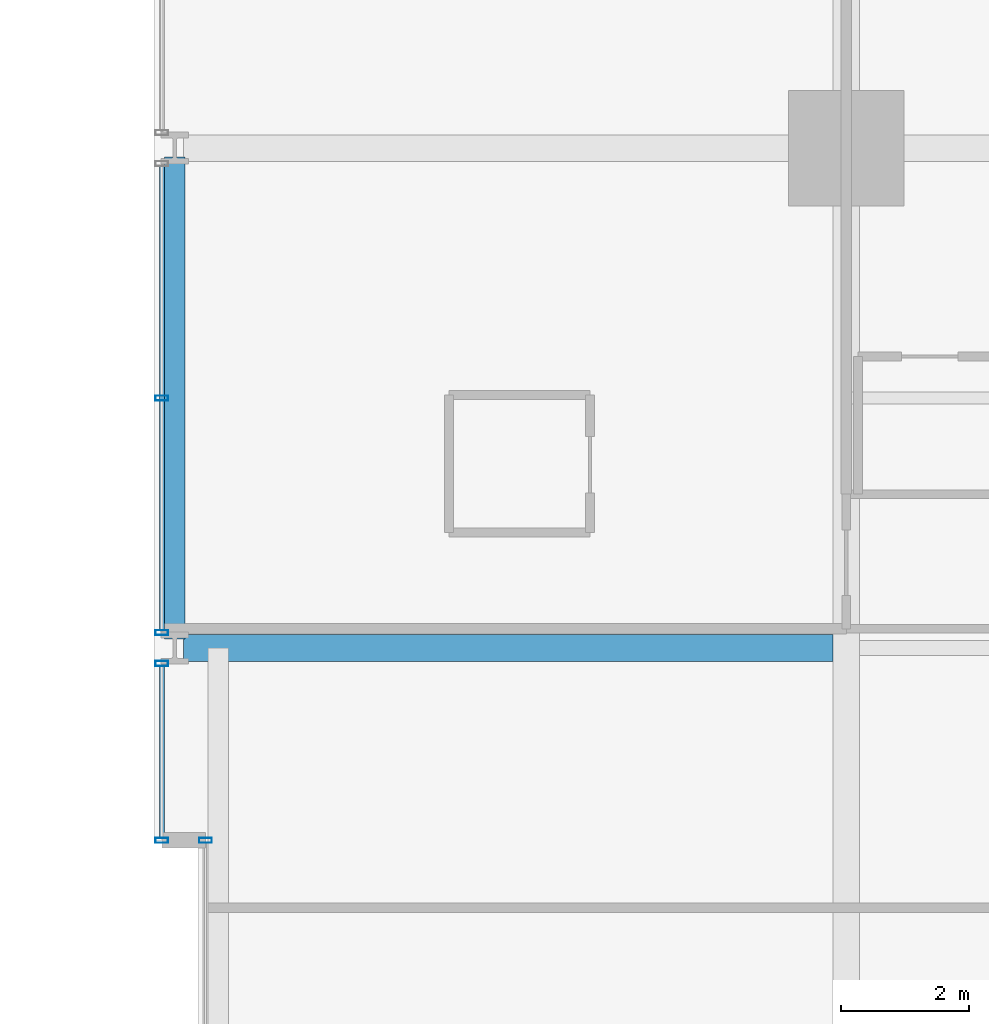
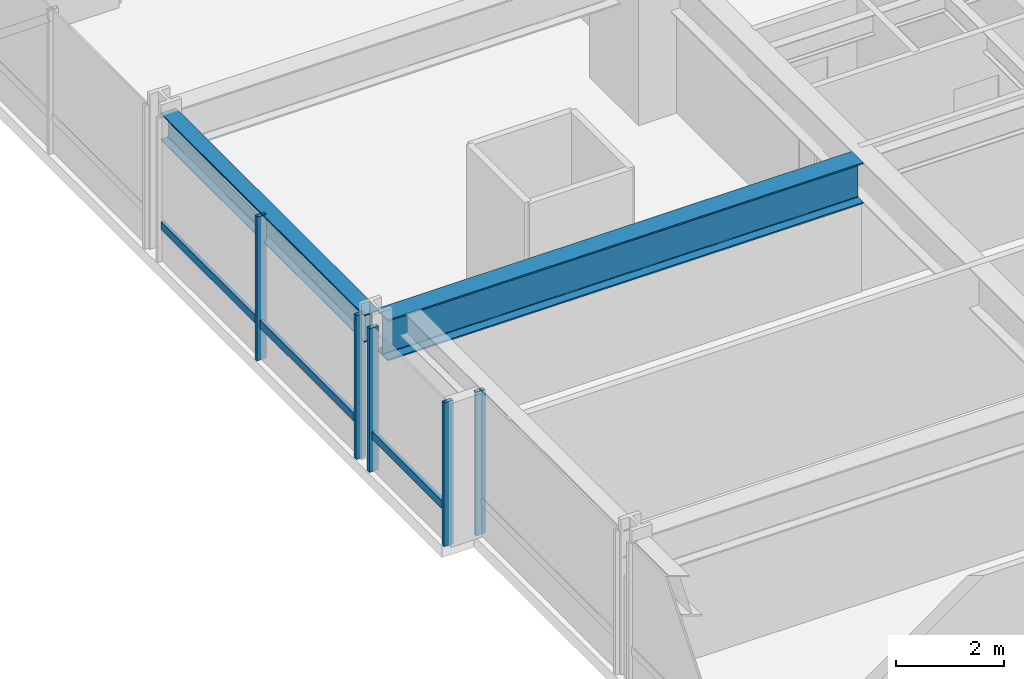
# One storey, part 17 of 42: 7 members, 2 beams, 3 elements without a shape of their own.
"""IFC4 building model written with IfcOpenShell, lengths in metres."""

from ifc_helpers import new_model, si_unit, direction, frame, origin, origin_2d, place, context, subcontext, project, spatial, hollow_rectangle, i_section, extrude, material, layer, layer_set, material_profile, profile_set, type_object, element, aggregate, save


model = new_model("IFC4")

# Units and contexts
model_context = context("Model", 3, precision=1e-05, world=origin(), true_north=direction((0.0, 1.0)))
body_context = subcontext(model_context, "Body", "Model", "MODEL_VIEW")
ifc_project = project(units=[si_unit("LENGTHUNIT", "METRE"), si_unit("AREAUNIT", "SQUARE_METRE"), si_unit("VOLUMEUNIT", "CUBIC_METRE"), si_unit("PLANEANGLEUNIT", "RADIAN"), si_unit("MASSUNIT", "GRAM", prefix="KILO")], contexts=[model_context])

# Site, building, storey
site_placement = place(None, origin())
site = spatial("IfcSite", under=ifc_project, at=site_placement, CompositionType="ELEMENT")
building_placement = place(site_placement, origin())
building = spatial("IfcBuilding", under=site, at=building_placement, Name="Drelvath Grand Hotel", CompositionType="ELEMENT")
storey_placement = place(building_placement, frame((0.0, 0.0, 33.199951171875)))
storey = spatial("IfcBuildingStorey", under=building, at=storey_placement, Name="L06", CompositionType="ELEMENT", Elevation=33.199951171875)

# Curtain wall, member
ifc_material_1 = material(Name="Warm Bronze Anodised Aluminium Frame", Category="aluminium")
ifc_layer = layer(ifc_material_1, 0.199951171875)
ifc_layer_set = layer_set([ifc_layer], Name="Warm Bronze Anodised Aluminium Frame")
curtain_wall_type = type_object("IfcCurtainWallType", Name="Stick Curtain Wall CW-02 Warm Bronze Low-Rise", PredefinedType="NOTDEFINED", material=ifc_layer_set)
curtain_wall_1_placement = place(storey_placement, origin())
curtain_wall_1 = element("IfcCurtainWall", 1, at=curtain_wall_1_placement, inside=storey, type_object=curtain_wall_type, Name="L06 CW-02 Curtain Wall CW02-L06-WN1", PredefinedType="NOTDEFINED")
ifc_material_profile_1 = material_profile(ifc_material_1, hollow_rectangle(XDim=0.074951171875, YDim=0.179931640625, WallThickness=0.0048828125, at=origin_2d()), Name="HSS180X75X5")
ifc_profile_set_1 = profile_set([ifc_material_profile_1], Name="Warm Bronze Anodised Aluminium Frame")
member_type_1 = type_object("IfcMemberType", Name="Curtain Wall Horizontal Transom CW-02 HSS180X75X5", PredefinedType="USERDEFINED", material=ifc_profile_set_1)
member_1_placement = place(storey_placement, frame((-26.8798828125, 32.43994140625, 0.81005859375), z_axis=(0.0, 1.0, 0.0), x_axis=(-1.0, 0.0, 0.0)))
member_1 = element("IfcMember", 2, at=member_1_placement, type_object=member_type_1, Name="CW02-L06-WN1 Sill Transom", ObjectType="TRANSOM", PredefinedType="USERDEFINED", context=body_context, shape_type="SweptSolid", body=[
    extrude(hollow_rectangle(XDim=0.074951171875, YDim=0.179931640625, WallThickness=0.0048828125, at=origin_2d()), origin(), (0.0, 0.0, 1.0), 2.67919921875),
])

curtain_wall_2_placement = place(storey_placement, origin())
curtain_wall_2 = element("IfcCurtainWall", 3, at=curtain_wall_2_placement, inside=storey, type_object=curtain_wall_type, Name="L06 CW-02 Curtain Wall CW02-L06-WN2", PredefinedType="NOTDEFINED")
member_2_placement = place(storey_placement, frame((-26.8798828125, 35.680908203125, 0.81005859375), z_axis=(0.0, 1.0, 0.0), x_axis=(-1.0, 0.0, 0.0)))
member_2 = element("IfcMember", 4, at=member_2_placement, type_object=member_type_1, Name="CW02-L06-WN2 Sill Transom", ObjectType="TRANSOM", PredefinedType="USERDEFINED", context=body_context, shape_type="SweptSolid", body=[
    extrude(hollow_rectangle(XDim=0.074951171875, YDim=0.179931640625, WallThickness=0.0048828125, at=origin_2d()), origin(), (0.0, 0.0, 1.0), 7.23828125),
])

curtain_wall_3_placement = place(storey_placement, origin())
curtain_wall_3 = element("IfcCurtainWall", 5, at=curtain_wall_3_placement, inside=storey, type_object=curtain_wall_type, Name="L06 CW-02 Curtain Wall CW02-L06-WM2", PredefinedType="NOTDEFINED")
ifc_material_profile_2 = material_profile(ifc_material_1, hollow_rectangle(XDim=0.080078125, YDim=0.199951171875, WallThickness=0.0048828125, at=origin_2d()), Name="HSS200X80X5")
ifc_profile_set_2 = profile_set([ifc_material_profile_2], Name="Warm Bronze Anodised Aluminium Frame")
member_type_2 = type_object("IfcMemberType", Name="Curtain Wall Vertical Mullion CW-02 HSS200X80X5", PredefinedType="MULLION", material=ifc_profile_set_2)
member_3_placement = place(storey_placement, frame((-26.199951171875, 32.39990234375, 0.0), z_axis=(0.0, 0.0, 1.0), x_axis=(0.0, 1.0, 0.0)))
member_3 = element("IfcMember", 6, at=member_3_placement, type_object=member_type_2, Name="CW02-L06-WM2 Mullion 2", PredefinedType="MULLION", context=body_context, shape_type="SweptSolid", body=[
    extrude(hollow_rectangle(XDim=0.080078125, YDim=0.199951171875, WallThickness=0.0048828125, at=origin_2d()), origin(), (0.0, 0.0, 1.0), 3.239990234375),
])
aggregate(curtain_wall_3, [member_3])

# Member
member_4_placement = place(storey_placement, frame((-26.8798828125, 32.39990234375, 0.0), z_axis=(0.0, 0.0, 1.0), x_axis=(0.0, 1.0, 0.0)))
member_4 = element("IfcMember", 7, at=member_4_placement, type_object=member_type_2, Name="CW02-L06-WN1 Mullion 1", PredefinedType="MULLION", context=body_context, shape_type="SweptSolid", body=[
    extrude(hollow_rectangle(XDim=0.080078125, YDim=0.199951171875, WallThickness=0.0048828125, at=origin_2d()), origin(), (0.0, 0.0, 1.0), 3.239990234375),
])

member_5_placement = place(storey_placement, frame((-26.8798828125, 35.1591796875, 0.0), z_axis=(0.0, 0.0, 1.0), x_axis=(0.0, 1.0, 0.0)))
member_5 = element("IfcMember", 8, at=member_5_placement, type_object=member_type_2, Name="CW02-L06-WN1 Mullion 2", PredefinedType="MULLION", context=body_context, shape_type="SweptSolid", body=[
    extrude(hollow_rectangle(XDim=0.080078125, YDim=0.199951171875, WallThickness=0.0048828125, at=origin_2d()), origin(), (0.0, 0.0, 1.0), 3.239990234375),
])

aggregate(curtain_wall_1, [member_4, member_5, member_1])

member_6_placement = place(storey_placement, frame((-26.8798828125, 35.640869140625, 0.0), z_axis=(0.0, 0.0, 1.0), x_axis=(0.0, 1.0, 0.0)))
member_6 = element("IfcMember", 9, at=member_6_placement, type_object=member_type_2, Name="CW02-L06-WN2 Mullion 1", PredefinedType="MULLION", context=body_context, shape_type="SweptSolid", body=[
    extrude(hollow_rectangle(XDim=0.080078125, YDim=0.199951171875, WallThickness=0.0048828125, at=origin_2d()), origin(), (0.0, 0.0, 1.0), 3.239990234375),
])

member_7_placement = place(storey_placement, frame((-26.8798828125, 39.300048828125, 0.0), z_axis=(0.0, 0.0, 1.0), x_axis=(0.0, 1.0, 0.0)))
member_7 = element("IfcMember", 10, at=member_7_placement, type_object=member_type_2, Name="CW02-L06-WN2 Mullion 2", PredefinedType="MULLION", context=body_context, shape_type="SweptSolid", body=[
    extrude(hollow_rectangle(XDim=0.080078125, YDim=0.199951171875, WallThickness=0.0048828125, at=origin_2d()), origin(), (0.0, 0.0, 1.0), 3.239990234375),
])

aggregate(curtain_wall_2, [member_6, member_7, member_2])

# Beams
ifc_material_2 = material(Name="Steel ASTM A992 Gr 50", Category="steel")
ifc_material_profile_3 = material_profile(ifc_material_2, i_section(OverallWidth=0.323974609375, OverallDepth=0.611083984375, WebThickness=0.0126953125, FlangeThickness=0.01904296875, FilletRadius=0.02197265625, at=origin_2d()), Name="W24X104")
ifc_profile_set_3 = profile_set([ifc_material_profile_3], Name="Steel ASTM A992 Gr 50")
beam_type_1 = type_object("IfcBeamType", Name="Perimeter Spandrel Beam W24X104", PredefinedType="SPANDREL", material=ifc_profile_set_3)
beam_1_placement = place(storey_placement, frame((-26.679931640625, 35.5400390625, 2.9345703125), z_axis=(0.0, 1.0, 0.0), x_axis=(-1.0, 0.0, 0.0)))
element("IfcBeam", 11, at=beam_1_placement, inside=storey, type_object=beam_type_1, Name="L06 Spandrel West N", PredefinedType="SPANDREL", context=body_context, shape_type="SweptSolid", body=[
    extrude(i_section(OverallWidth=0.323974609375, OverallDepth=0.611083984375, WebThickness=0.0126953125, FlangeThickness=0.01904296875, FilletRadius=0.02197265625, at=origin_2d()), origin(), (0.0, 0.0, 1.0), 7.52001953125),
])
ifc_material_profile_4 = material_profile(ifc_material_2, i_section(OverallWidth=0.418212890625, OverallDepth=0.926513671875, WebThickness=0.019287109375, FlangeThickness=0.031982421875, FilletRadius=0.028076171875, at=origin_2d()), Name="W36X231")
ifc_profile_set_4 = profile_set([ifc_material_profile_4], Name="Steel ASTM A992 Gr 50")
beam_type_2 = type_object("IfcBeamType", Name="Primary Floor Girder W36X231", PredefinedType="BEAM", material=ifc_profile_set_4)
beam_2_placement = place(storey_placement, frame((-26.5400390625, 35.39990234375, 2.77685546875), z_axis=(1.0, 0.0, 0.0), x_axis=(0.0, 1.0, 0.0)))
element("IfcBeam", 12, at=beam_2_placement, inside=storey, type_object=beam_type_2, Name="L06 West Wing Girder F", PredefinedType="BEAM", context=body_context, shape_type="SweptSolid", body=[
    extrude(i_section(OverallWidth=0.418212890625, OverallDepth=0.926513671875, WebThickness=0.019287109375, FlangeThickness=0.031982421875, FilletRadius=0.028076171875, at=origin_2d()), origin(), (0.0, 0.0, 1.0), 10.130859375),
])

save(model, "model.ifc")
